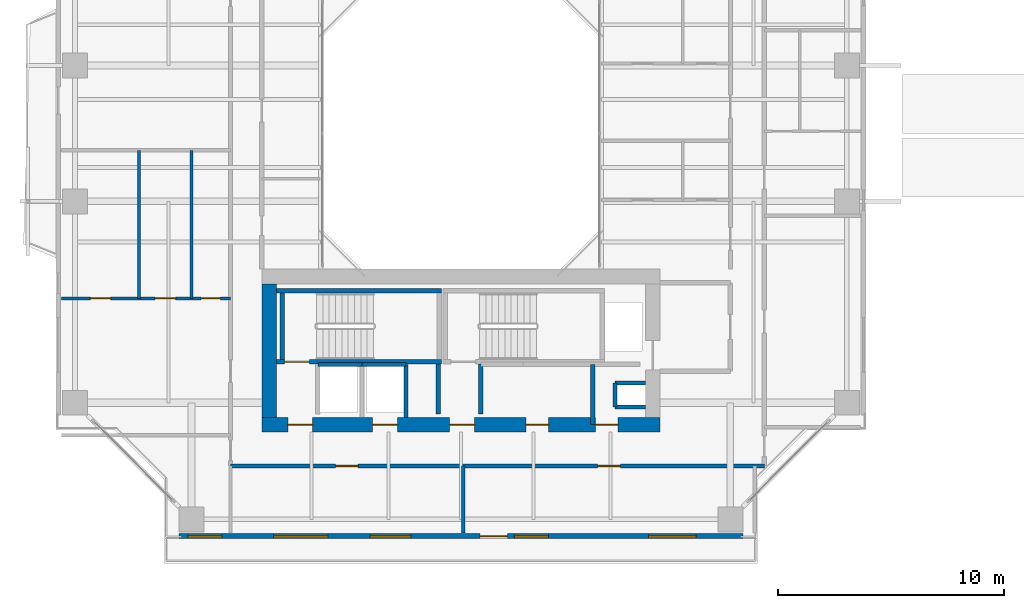
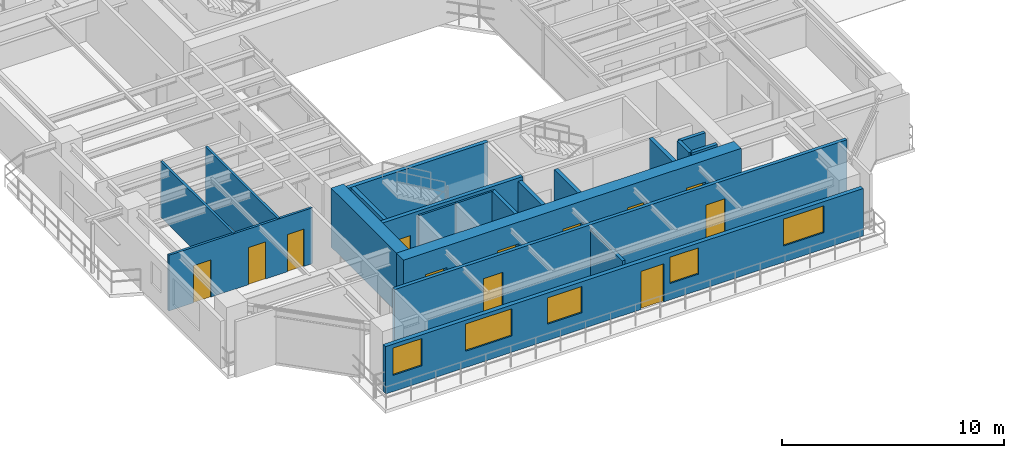
# One storey, part 13 of 23: 20 walls, 12 doors, 5 windows, 17 openings.
"""IFC4 building model written with IfcOpenShell, lengths in metres."""

from ifc_helpers import new_model, si_unit, direction, frame, frame_2d, origin, place, context, subcontext, project, spatial, rectangle, extrude, source, transform, mapped, material, layer, layer_set, type_object, element, fill, save


model = new_model("IFC4")

# Units and contexts
model_context = context("Model", 3, precision=1e-05, world=origin(), true_north=direction((0.0, 1.0)))
body_context = subcontext(model_context, "Body", "Model", "MODEL_VIEW")
ifc_project = project(units=[si_unit("LENGTHUNIT", "METRE"), si_unit("AREAUNIT", "SQUARE_METRE"), si_unit("VOLUMEUNIT", "CUBIC_METRE"), si_unit("PLANEANGLEUNIT", "RADIAN"), si_unit("MASSUNIT", "GRAM", prefix="KILO"), si_unit("THERMODYNAMICTEMPERATUREUNIT", "KELVIN"), si_unit("POWERUNIT", "WATT")], contexts=[model_context])

# Site, building, storey
site_placement = place(None, origin())
site = spatial("IfcSite", under=ifc_project, at=site_placement, CompositionType="ELEMENT")
building_placement = place(site_placement, origin())
building = spatial("IfcBuilding", under=site, at=building_placement, Name="Qiaomeng Ring Towers", CompositionType="ELEMENT")
storey_placement = place(building_placement, frame((0.0, 0.0, 97.0)))
storey = spatial("IfcBuildingStorey", under=building, at=storey_placement, Name="L27", CompositionType="ELEMENT", Elevation=97.0)

# Wall, openings, windows, door
ifc_material_1 = material(Name="Precast concrete C40", Category="concrete")
ifc_layer_1 = layer(ifc_material_1, 0.219970703125, Name="Precast concrete C40")
ifc_layer_set_1 = layer_set([ifc_layer_1], Name="Precast concrete C40")
wall_type_1 = type_object("IfcWallType", Name="ARC-WL-EW2", PredefinedType="STANDARD", material=ifc_layer_set_1)
wall_1_placement = place(storey_placement, frame((6.550048828125, 5.2099609375, 0.0), z_axis=(0.0, 0.0, 1.0), x_axis=(1.0, 0.0, 0.0)))
wall_1 = element("IfcWall", 1, at=wall_1_placement, inside=storey, type_object=wall_type_1, Name="L27 Tower 1 S Exterior Wall", PredefinedType="STANDARD", context=body_context, shape_type="SweptSolid", body=[
    extrude(rectangle(XDim=24.89990234375, YDim=0.219970703125, at=frame_2d((12.449951171875, 0.0))), origin(), (0.0, 0.0, 1.0), 2.610107421875),
])
opening_1_placement = place(wall_1_placement, frame((13.300048828125, 0.0, 0.0)))
opening_1 = element("IfcOpeningElement", 2, at=opening_1_placement, cuts=wall_1, Name="Opening BD1", PredefinedType="OPENING", context=body_context, shape_type="SweptSolid", body=[
    extrude(rectangle(XDim=1.199951171875, YDim=2.10009765625, at=frame_2d((0.60009765625, 1.050048828125))), frame((0.0, 0.119873046875, 0.0), z_axis=(0.0, -1.0, 0.0), x_axis=(1.0, 0.0, 0.0)), (0.0, 0.0, 1.0), 0.239990234375),
])
opening_2_placement = place(wall_1_placement, frame((0.392578125, 0.0, 0.89990234375)))
opening_2 = element("IfcOpeningElement", 3, at=opening_2_placement, cuts=wall_1, Name="Opening WN2", PredefinedType="OPENING", context=body_context, shape_type="SweptSolid", body=[
    extrude(rectangle(XDim=1.5, YDim=1.5, at=frame_2d((0.75, 0.75))), frame((0.0, 0.119873046875, 0.0), z_axis=(0.0, -1.0, 0.0), x_axis=(1.0, 0.0, 0.0)), (0.0, 0.0, 1.0), 0.239990234375),
])
opening_3_placement = place(wall_1_placement, frame((8.43798828125, 0.0, 0.89990234375)))
opening_3 = element("IfcOpeningElement", 4, at=opening_3_placement, cuts=wall_1, Name="Opening WN1", PredefinedType="OPENING", context=body_context, shape_type="SweptSolid", body=[
    extrude(rectangle(XDim=1.800048828125, YDim=1.449951171875, at=frame_2d((0.89990234375, 0.72509765625))), frame((0.0, 0.119873046875, 0.0), z_axis=(0.0, -1.0, 0.0), x_axis=(1.0, 0.0, 0.0)), (0.0, 0.0, 1.0), 0.239990234375),
])
opening_4_placement = place(wall_1_placement, frame((14.81298828125, 0.0, 0.89990234375)))
opening_4 = element("IfcOpeningElement", 5, at=opening_4_placement, cuts=wall_1, Name="Opening WN2", PredefinedType="OPENING", context=body_context, shape_type="SweptSolid", body=[
    extrude(rectangle(XDim=1.5, YDim=1.449951171875, at=frame_2d((0.75, 0.72509765625))), frame((0.0, 0.119873046875, 0.0), z_axis=(0.0, -1.0, 0.0), x_axis=(1.0, 0.0, 0.0)), (0.0, 0.0, 1.0), 0.239990234375),
])
opening_5_placement = place(wall_1_placement, frame((20.738037109375, 0.0, 0.89990234375)))
opening_5 = element("IfcOpeningElement", 6, at=opening_5_placement, cuts=wall_1, Name="Opening WN4", PredefinedType="OPENING", context=body_context, shape_type="SweptSolid", body=[
    extrude(rectangle(XDim=2.10009765625, YDim=1.47998046875, at=frame_2d((1.050048828125, 0.739990234375))), frame((0.0, 0.119873046875, 0.0), z_axis=(0.0, -1.0, 0.0), x_axis=(1.0, 0.0, 0.0)), (0.0, 0.0, 1.0), 0.239990234375),
])
opening_6_placement = place(wall_1_placement, frame((4.17138671875, 0.0, 0.89990234375)))
opening_6 = element("IfcOpeningElement", 7, at=opening_6_placement, cuts=wall_1, Name="Opening WN6", PredefinedType="OPENING", context=body_context, shape_type="SweptSolid", body=[
    extrude(rectangle(XDim=2.39990234375, YDim=1.5, at=frame_2d((1.199951171875, 0.75))), frame((0.0, 0.119873046875, 0.0), z_axis=(0.0, -1.0, 0.0), x_axis=(1.0, 0.0, 0.0)), (0.0, 0.0, 1.0), 0.239990234375),
])
ifc_material_2 = material(Name="Low-E dark-grey laminated double glazing", Category="glass")
window_type_1 = type_object("IfcWindowType", Name="ARC-WN-2", PartitioningType="DOUBLE_PANEL_VERTICAL", PredefinedType="WINDOW", material=ifc_material_2)
shared_shape_1 = source(origin(), body_context, "Body", "SweptSolid", [
    extrude(rectangle(XDim=1.5, YDim=1.449951171875, at=frame_2d((0.75, 0.72509765625))), frame((0.0, 0.030029296875, 0.0), z_axis=(0.0, -1.0, 0.0), x_axis=(1.0, 0.0, 0.0)), (0.0, 0.0, 1.0), 0.06005859375),
])
window_1_placement = place(opening_4_placement, origin())
window_1 = element("IfcWindow", 8, at=window_1_placement, inside=storey, type_object=window_type_1, Name="L27 Exterior Window WN2", OverallHeight=1.449951171875, OverallWidth=1.5, PartitioningType="DOUBLE_PANEL_VERTICAL", PredefinedType="WINDOW", context=body_context, shape_type="MappedRepresentation", body=[
    mapped(shared_shape_1, transform((0.0, 0.0, 0.0), x_axis=(1.0, 0.0, 0.0), y_axis=(0.0, 1.0, 0.0), z_axis=(0.0, 0.0, 1.0), scale=1.0)),
])
fill(opening_4, window_1)
window_type_2 = type_object("IfcWindowType", Name="ARC-WN-4", PartitioningType="TRIPLE_PANEL_VERTICAL", PredefinedType="WINDOW", material=ifc_material_2)
shared_shape_2 = source(origin(), body_context, "Body", "SweptSolid", [
    extrude(rectangle(XDim=2.10009765625, YDim=1.47998046875, at=frame_2d((1.050048828125, 0.739990234375))), frame((0.0, 0.030029296875, 0.0), z_axis=(0.0, -1.0, 0.0), x_axis=(1.0, 0.0, 0.0)), (0.0, 0.0, 1.0), 0.06005859375),
])
window_2_placement = place(opening_5_placement, origin())
window_2 = element("IfcWindow", 9, at=window_2_placement, inside=storey, type_object=window_type_2, Name="L27 Exterior Window WN4", OverallHeight=1.47998046875, OverallWidth=2.10009765625, PartitioningType="TRIPLE_PANEL_VERTICAL", PredefinedType="WINDOW", context=body_context, shape_type="MappedRepresentation", body=[
    mapped(shared_shape_2, transform((0.0, 0.0, 0.0), x_axis=(1.0, 0.0, 0.0), y_axis=(0.0, 1.0, 0.0), z_axis=(0.0, 0.0, 1.0), scale=1.0)),
])
fill(opening_5, window_2)
window_type_3 = type_object("IfcWindowType", Name="ARC-WN-1", PartitioningType="DOUBLE_PANEL_VERTICAL", PredefinedType="WINDOW", material=ifc_material_2)
shared_shape_3 = source(origin(), body_context, "Body", "SweptSolid", [
    extrude(rectangle(XDim=1.800048828125, YDim=1.449951171875, at=frame_2d((0.89990234375, 0.72509765625))), frame((0.0, 0.030029296875, 0.0), z_axis=(0.0, -1.0, 0.0), x_axis=(1.0, 0.0, 0.0)), (0.0, 0.0, 1.0), 0.06005859375),
])
window_3_placement = place(opening_3_placement, origin())
window_3 = element("IfcWindow", 10, at=window_3_placement, inside=storey, type_object=window_type_3, Name="L27 Exterior Window WN1", OverallHeight=1.449951171875, OverallWidth=1.800048828125, PartitioningType="DOUBLE_PANEL_VERTICAL", PredefinedType="WINDOW", context=body_context, shape_type="MappedRepresentation", body=[
    mapped(shared_shape_3, transform((0.0, 0.0, 0.0), x_axis=(1.0, 0.0, 0.0), y_axis=(0.0, 1.0, 0.0), z_axis=(0.0, 0.0, 1.0), scale=1.0)),
])
fill(opening_3, window_3)
door_type_1 = type_object("IfcDoorType", Name="ARC-DR-BD1", OperationType="NOTDEFINED", PredefinedType="DOOR", material=ifc_material_2)
shared_shape_4 = source(origin(), body_context, "Body", "SweptSolid", [
    extrude(rectangle(XDim=1.199951171875, YDim=2.10009765625, at=frame_2d((0.60009765625, 1.050048828125))), frame((0.0, 0.02490234375, 0.0), z_axis=(0.0, -1.0, 0.0), x_axis=(1.0, 0.0, 0.0)), (0.0, 0.0, 1.0), 0.050048828125),
])
door_1_placement = place(opening_1_placement, frame((1.199951171875, 0.0, 0.0), z_axis=(0.0, 0.0, 1.0), x_axis=(-1.0, 0.0, 0.0)))
door_1 = element("IfcDoor", 11, at=door_1_placement, inside=storey, type_object=door_type_1, Name="L27 Setback Sky Terrace Door", OperationType="SINGLE_SWING_RIGHT", OverallHeight=2.10009765625, OverallWidth=1.199951171875, PredefinedType="DOOR", context=body_context, shape_type="MappedRepresentation", body=[
    mapped(shared_shape_4, transform((0.0, 0.0, 0.0), x_axis=(1.0, 0.0, 0.0), y_axis=(0.0, 1.0, 0.0), z_axis=(0.0, 0.0, 1.0), scale=1.0)),
])
fill(opening_1, door_1)
shared_shape_5 = source(origin(), body_context, "Body", "SweptSolid", [
    extrude(rectangle(XDim=1.5, YDim=1.5, at=frame_2d((0.75, 0.75))), frame((0.0, 0.030029296875, 0.0), z_axis=(0.0, -1.0, 0.0), x_axis=(1.0, 0.0, 0.0)), (0.0, 0.0, 1.0), 0.06005859375),
])
window_4_placement = place(opening_2_placement, origin())
window_4 = element("IfcWindow", 12, at=window_4_placement, inside=storey, type_object=window_type_1, Name="L27 Exterior Window WN6", OverallHeight=1.5, OverallWidth=1.5, PartitioningType="TRIPLE_PANEL_VERTICAL", PredefinedType="WINDOW", context=body_context, shape_type="MappedRepresentation", body=[
    mapped(shared_shape_5, transform((0.0, 0.0, 0.0), x_axis=(1.0, 0.0, 0.0), y_axis=(0.0, 1.0, 0.0), z_axis=(0.0, 0.0, 1.0), scale=1.0)),
])
fill(opening_2, window_4)
window_type_4 = type_object("IfcWindowType", Name="ARC-WN-6", PartitioningType="TRIPLE_PANEL_VERTICAL", PredefinedType="WINDOW", material=ifc_material_2)
shared_shape_6 = source(origin(), body_context, "Body", "SweptSolid", [
    extrude(rectangle(XDim=2.39990234375, YDim=1.5, at=frame_2d((1.199951171875, 0.75))), frame((0.0, 0.030029296875, 0.0), z_axis=(0.0, -1.0, 0.0), x_axis=(1.0, 0.0, 0.0)), (0.0, 0.0, 1.0), 0.06005859375),
])
window_5_placement = place(opening_6_placement, origin())
window_5 = element("IfcWindow", 13, at=window_5_placement, inside=storey, type_object=window_type_4, Name="L27 Exterior Window WN6", OverallHeight=1.5, OverallWidth=2.39990234375, PartitioningType="TRIPLE_PANEL_VERTICAL", PredefinedType="WINDOW", context=body_context, shape_type="MappedRepresentation", body=[
    mapped(shared_shape_6, transform((0.0, 0.0, 0.0), x_axis=(1.0, 0.0, 0.0), y_axis=(0.0, 1.0, 0.0), z_axis=(0.0, 0.0, 1.0), scale=1.0)),
])
fill(opening_6, window_5)

# Walls
ifc_material_3 = material(Name="Autoclaved aerated concrete block", Category="concrete")
ifc_layer_2 = layer(ifc_material_3, 0.199951171875, Name="Autoclaved aerated concrete block")
ifc_layer_set_2 = layer_set([ifc_layer_2], Name="Autoclaved aerated concrete block")
wall_type_2 = type_object("IfcWallType", Name="ARC-WL-PW1", PredefinedType="PARTITIONING", material=ifc_layer_set_2)
for number, where, z_axis, x_axis, name in (
    (14, (18.0, 10.60009765625, 0.0), (0.0, 0.0, 1.0), (0.0, 1.0, 0.0), "L27 Interior Wall PW1"),
    (15, (19.8798828125, 10.60009765625, 0.0), (0.0, 0.0, 1.0), (0.0, 1.0, 0.0), "L27 Interior Wall PW1"),
):
    element("IfcWall", number, at=place(storey_placement, frame(where, z_axis=z_axis, x_axis=x_axis)), inside=storey, type_object=wall_type_2, Name=name, PredefinedType="PARTITIONING", context=body_context, shape_type="SweptSolid", body=[
        extrude(rectangle(XDim=2.2099609375, YDim=0.199951171875, at=frame_2d((1.10498046875, 0.0))), origin(), (0.0, 0.0, 1.0), 3.070068359375),
    ])
wall_2_placement = place(storey_placement, frame((24.820068359375, 10.14990234375, 0.0), z_axis=(0.0, 0.0, 1.0), x_axis=(0.0, 1.0, 0.0)))
element("IfcWall", 16, at=wall_2_placement, inside=storey, type_object=wall_type_2, Name="L27 Interior Wall PW1", PredefinedType="PARTITIONING", context=body_context, shape_type="SweptSolid", body=[
    extrude(rectangle(XDim=2.650146484375, YDim=0.199951171875, at=frame_2d((1.3251953125, 0.0))), origin(), (0.0, 0.0, 1.0), 3.070068359375),
])

# Wall, openings, doors
ifc_layer_3 = layer(ifc_material_3, 0.179931640625, Name="Autoclaved aerated concrete block")
ifc_layer_set_3 = layer_set([ifc_layer_3], Name="Autoclaved aerated concrete block")
wall_type_3 = type_object("IfcWallType", Name="ARC-WL-PW2", PredefinedType="PARTITIONING", material=ifc_layer_set_3)
wall_3_placement = place(storey_placement, frame((8.820068359375, 8.31005859375, 0.0), z_axis=(0.0, 0.0, 1.0), x_axis=(1.0, 0.0, 0.0)))
wall_3 = element("IfcWall", 17, at=wall_3_placement, inside=storey, type_object=wall_type_3, Name="L27 Interior Wall PW2", PredefinedType="PARTITIONING", context=body_context, shape_type="SweptSolid", body=[
    extrude(rectangle(XDim=23.579833984375, YDim=0.179931640625, at=frame_2d((11.7900390625, 0.0))), origin(), (0.0, 0.0, 1.0), 3.070068359375),
])
opening_7_placement = place(wall_3_placement, frame((4.639892578125, 0.0, 0.0)))
opening_7 = element("IfcOpeningElement", 18, at=opening_7_placement, cuts=wall_3, Name="Opening FD4", PredefinedType="OPENING", context=body_context, shape_type="SweptSolid", body=[
    extrude(rectangle(XDim=1.0, YDim=2.050048828125, at=frame_2d((0.5, 1.02490234375))), frame((0.0, 0.099853515625, 0.0), z_axis=(0.0, -1.0, 0.0), x_axis=(1.0, 0.0, 0.0)), (0.0, 0.0, 1.0), 0.199951171875),
])
opening_8_placement = place(wall_3_placement, frame((16.219970703125, 0.0, 0.0)))
opening_8 = element("IfcOpeningElement", 19, at=opening_8_placement, cuts=wall_3, Name="Opening FD4", PredefinedType="OPENING", context=body_context, shape_type="SweptSolid", body=[
    extrude(rectangle(XDim=1.0, YDim=2.050048828125, at=frame_2d((0.5, 1.02490234375))), frame((0.0, 0.099853515625, 0.0), z_axis=(0.0, -1.0, 0.0), x_axis=(1.0, 0.0, 0.0)), (0.0, 0.0, 1.0), 0.199951171875),
])
ifc_material_4 = material(Name="Engineered fire-rated oak timber", Category="wood")
door_type_2 = type_object("IfcDoorType", Name="ARC-DR-FD4", OperationType="NOTDEFINED", PredefinedType="DOOR", material=ifc_material_4)
shared_shape_7 = source(origin(), body_context, "Body", "SweptSolid", [
    extrude(rectangle(XDim=1.0, YDim=2.050048828125, at=frame_2d((0.5, 1.02490234375))), frame((0.0, 0.02490234375, 0.0), z_axis=(0.0, -1.0, 0.0), x_axis=(1.0, 0.0, 0.0)), (0.0, 0.0, 1.0), 0.050048828125),
])
door_2_placement = place(opening_7_placement, origin())
door_2 = element("IfcDoor", 20, at=door_2_placement, inside=storey, type_object=door_type_2, Name="L27 Door FD4", OperationType="SINGLE_SWING_LEFT", OverallHeight=2.050048828125, OverallWidth=1.0, PredefinedType="DOOR", context=body_context, shape_type="MappedRepresentation", body=[
    mapped(shared_shape_7, transform((0.0, 0.0, 0.0), x_axis=(1.0, 0.0, 0.0), y_axis=(0.0, 1.0, 0.0), z_axis=(0.0, 0.0, 1.0), scale=1.0)),
])
fill(opening_7, door_2)
door_3_placement = place(opening_8_placement, origin())
door_3 = element("IfcDoor", 21, at=door_3_placement, inside=storey, type_object=door_type_2, Name="L27 Door FD4", OperationType="SINGLE_SWING_RIGHT", OverallHeight=2.050048828125, OverallWidth=1.0, PredefinedType="DOOR", context=body_context, shape_type="MappedRepresentation", body=[
    mapped(shared_shape_7, transform((0.0, 0.0, 0.0), x_axis=(1.0, 0.0, 0.0), y_axis=(0.0, 1.0, 0.0), z_axis=(0.0, 0.0, 1.0), scale=1.0)),
])
fill(opening_8, door_3)

# Wall
ifc_material_5 = material(Name="Gypsum fireboard steel-stud partition", Category="steel")
ifc_layer_4 = layer(ifc_material_5, 0.14990234375, Name="Gypsum fireboard steel-stud partition")
ifc_layer_set_4 = layer_set([ifc_layer_4], Name="Gypsum fireboard steel-stud partition")
wall_type_4 = type_object("IfcWallType", Name="ARC-WL-PW3", PredefinedType="PARTITIONING", material=ifc_layer_set_4)
wall_4_placement = place(storey_placement, frame((19.10009765625, 5.35009765625, 0.0), z_axis=(0.0, 0.0, 1.0), x_axis=(0.0, 1.0, 0.0)))
element("IfcWall", 22, at=wall_4_placement, inside=storey, type_object=wall_type_4, Name="L27 Interior Wall PW3", PredefinedType="PARTITIONING", context=body_context, shape_type="SweptSolid", body=[
    extrude(rectangle(XDim=2.9599609375, YDim=0.14990234375, at=frame_2d((1.47998046875, 0.0))), origin(), (0.0, 0.0, 1.0), 2.81494140625),
])

# Wall, openings, doors
ifc_material_6 = material(Name="Moisture-resistant gypsum steel-stud partition", Category="steel")
ifc_layer_5 = layer(ifc_material_6, 0.1201171875, Name="Moisture-resistant gypsum steel-stud partition")
ifc_layer_set_5 = layer_set([ifc_layer_5], Name="Moisture-resistant gypsum steel-stud partition")
wall_type_5 = type_object("IfcWallType", Name="ARC-WL-PW4", PredefinedType="PLUMBINGWALL", material=ifc_layer_set_5)
wall_5_placement = place(storey_placement, frame((1.35009765625, 15.7099609375, 0.0), z_axis=(0.0, 0.0, 1.0), x_axis=(1.0, 0.0, 0.0)))
wall_5 = element("IfcWall", 23, at=wall_5_placement, inside=storey, type_object=wall_type_5, Name="L27 Interior Wall PW4", PredefinedType="PLUMBINGWALL", context=body_context, shape_type="SweptSolid", body=[
    extrude(rectangle(XDim=7.469970703125, YDim=0.1201171875, at=frame_2d((3.73486328125, 0.0))), origin(), (0.0, 0.0, 1.0), 3.070068359375),
])
opening_9_placement = place(wall_5_placement, frame((1.27490234375, 0.0, 0.0)))
opening_9 = element("IfcOpeningElement", 24, at=opening_9_placement, cuts=wall_5, Name="Opening ID1", PredefinedType="OPENING", context=body_context, shape_type="SweptSolid", body=[
    extrude(rectangle(XDim=0.89990234375, YDim=2.050048828125, at=frame_2d((0.449951171875, 1.02490234375))), frame((0.0, 0.070068359375, 0.0), z_axis=(0.0, -1.0, 0.0), x_axis=(1.0, 0.0, 0.0)), (0.0, 0.0, 1.0), 0.14013671875),
])
opening_10_placement = place(wall_5_placement, frame((4.139892578125, 0.0, 0.0)))
opening_10 = element("IfcOpeningElement", 25, at=opening_10_placement, cuts=wall_5, Name="Opening ID1", PredefinedType="OPENING", context=body_context, shape_type="SweptSolid", body=[
    extrude(rectangle(XDim=0.89990234375, YDim=2.050048828125, at=frame_2d((0.449951171875, 1.02490234375))), frame((0.0, 0.070068359375, 0.0), z_axis=(0.0, -1.0, 0.0), x_axis=(1.0, 0.0, 0.0)), (0.0, 0.0, 1.0), 0.14013671875),
])
opening_11_placement = place(wall_5_placement, frame((6.175048828125, 0.0, 0.0)))
opening_11 = element("IfcOpeningElement", 26, at=opening_11_placement, cuts=wall_5, Name="Opening ID2", PredefinedType="OPENING", context=body_context, shape_type="SweptSolid", body=[
    extrude(rectangle(XDim=0.85009765625, YDim=2.050048828125, at=frame_2d((0.425048828125, 1.02490234375))), frame((0.0, 0.070068359375, 0.0), z_axis=(0.0, -1.0, 0.0), x_axis=(1.0, 0.0, 0.0)), (0.0, 0.0, 1.0), 0.14013671875),
])
ifc_material_7 = material(Name="Moisture-resistant engineered timber", Category="wood")
door_type_3 = type_object("IfcDoorType", Name="ARC-DR-ID2", OperationType="NOTDEFINED", PredefinedType="DOOR", material=ifc_material_7)
shared_shape_8 = source(origin(), body_context, "Body", "SweptSolid", [
    extrude(rectangle(XDim=0.85009765625, YDim=2.050048828125, at=frame_2d((0.425048828125, 1.02490234375))), frame((0.0, 0.02490234375, 0.0), z_axis=(0.0, -1.0, 0.0), x_axis=(1.0, 0.0, 0.0)), (0.0, 0.0, 1.0), 0.050048828125),
])
door_4_placement = place(opening_11_placement, origin())
door_4 = element("IfcDoor", 27, at=door_4_placement, inside=storey, type_object=door_type_3, Name="L27 Door ID2", OperationType="SINGLE_SWING_LEFT", OverallHeight=2.050048828125, OverallWidth=0.85009765625, PredefinedType="DOOR", context=body_context, shape_type="MappedRepresentation", body=[
    mapped(shared_shape_8, transform((0.0, 0.0, 0.0), x_axis=(1.0, 0.0, 0.0), y_axis=(0.0, 1.0, 0.0), z_axis=(0.0, 0.0, 1.0), scale=1.0)),
])
fill(opening_11, door_4)
ifc_material_8 = material(Name="Engineered oak timber", Category="wood")
door_type_4 = type_object("IfcDoorType", Name="ARC-DR-ID1", OperationType="NOTDEFINED", PredefinedType="DOOR", material=ifc_material_8)
shared_shape_9 = source(origin(), body_context, "Body", "SweptSolid", [
    extrude(rectangle(XDim=0.89990234375, YDim=2.050048828125, at=frame_2d((0.449951171875, 1.02490234375))), frame((0.0, 0.02490234375, 0.0), z_axis=(0.0, -1.0, 0.0), x_axis=(1.0, 0.0, 0.0)), (0.0, 0.0, 1.0), 0.050048828125),
])
door_5_placement = place(opening_9_placement, origin())
door_5 = element("IfcDoor", 28, at=door_5_placement, inside=storey, type_object=door_type_4, Name="L27 Door ID1", OperationType="SINGLE_SWING_LEFT", OverallHeight=2.050048828125, OverallWidth=0.89990234375, PredefinedType="DOOR", context=body_context, shape_type="MappedRepresentation", body=[
    mapped(shared_shape_9, transform((0.0, 0.0, 0.0), x_axis=(1.0, 0.0, 0.0), y_axis=(0.0, 1.0, 0.0), z_axis=(0.0, 0.0, 1.0), scale=1.0)),
])
fill(opening_9, door_5)
door_6_placement = place(opening_10_placement, origin())
door_6 = element("IfcDoor", 29, at=door_6_placement, inside=storey, type_object=door_type_4, Name="L27 Door ID1", OperationType="SINGLE_SWING_RIGHT", OverallHeight=2.050048828125, OverallWidth=0.89990234375, PredefinedType="DOOR", context=body_context, shape_type="MappedRepresentation", body=[
    mapped(shared_shape_9, transform((0.0, 0.0, 0.0), x_axis=(1.0, 0.0, 0.0), y_axis=(0.0, 1.0, 0.0), z_axis=(0.0, 0.0, 1.0), scale=1.0)),
])
fill(opening_10, door_6)

# Walls
for number, where, z_axis, x_axis, name in (
    (30, (4.780029296875, 15.7099609375, 0.0), (0.0, 0.0, 1.0), (0.0, 1.0, 0.0), "L27 Interior Wall PW4"),
    (31, (7.10009765625, 15.7099609375, 0.0), (0.0, 0.0, 1.0), (0.0, 1.0, 0.0), "L27 Interior Wall PW4"),
):
    element("IfcWall", number, at=place(storey_placement, frame(where, z_axis=z_axis, x_axis=x_axis)), inside=storey, type_object=wall_type_5, Name=name, PredefinedType="PLUMBINGWALL", context=body_context, shape_type="SweptSolid", body=[
        extrude(rectangle(XDim=6.5400390625, YDim=0.1201171875, at=frame_2d((3.27001953125, 0.0))), origin(), (0.0, 0.0, 1.0), 3.070068359375),
    ])
ifc_material_9 = material(Name="Concrete C40", Category="concrete")
ifc_layer_6 = layer(ifc_material_9, 0.199951171875, Name="Concrete C40")
ifc_layer_set_6 = layer_set([ifc_layer_6], Name="Concrete C40")
wall_type_6 = type_object("IfcWallType", Name="STR-WL-STSHAFT", PredefinedType="SHEAR", material=ifc_layer_set_6)
wall_6_placement = place(storey_placement, frame((12.679931640625, 12.800048828125, 0.0), z_axis=(0.0, 0.0, 1.0), x_axis=(1.0, 0.0, 0.0)))
element("IfcWall", 32, at=wall_6_placement, inside=storey, type_object=wall_type_6, Name="L27 Lift LP6 Shaft Back Wall", PredefinedType="SHEAR", context=body_context, shape_type="SweptSolid", body=[
    extrude(rectangle(XDim=1.940185546875, YDim=0.179931640625, at=frame_2d((0.97021484375, 0.0))), origin(), (0.0, 0.0, 1.0), 3.070068359375),
])
wall_7_placement = place(storey_placement, frame((25.800048828125, 10.919921875, 0.0), z_axis=(0.0, 0.0, 1.0), x_axis=(0.0, 1.0, 0.0)))
element("IfcWall", 33, at=wall_7_placement, inside=storey, type_object=wall_type_6, Name="L27 Riser RSR1 West Shaft Wall S", PredefinedType="SHEAR", context=body_context, shape_type="SweptSolid", body=[
    extrude(rectangle(XDim=1.06005859375, YDim=0.179931640625, at=frame_2d((0.530029296875, 0.0))), origin(), (0.0, 0.0, 1.0), 3.070068359375),
])
for number, where, z_axis, x_axis, name in (
    (34, (25.800048828125, 11.97998046875, 0.0), (0.0, 0.0, 1.0), (1.0, 0.0, 0.0), "L27 Riser RSR1 North Shaft Wall S"),
    (35, (25.800048828125, 10.919921875, 0.0), (0.0, 0.0, 1.0), (1.0, 0.0, 0.0), "L27 Riser RSR1 South Shaft Wall S"),
):
    element("IfcWall", number, at=place(storey_placement, frame(where, z_axis=z_axis, x_axis=x_axis)), inside=storey, type_object=wall_type_6, Name=name, PredefinedType="SHEAR", context=body_context, shape_type="SweptSolid", body=[
        extrude(rectangle(XDim=1.349853515625, YDim=0.179931640625, at=frame_2d((0.6748046875, 0.0))), origin(), (0.0, 0.0, 1.0), 3.070068359375),
    ])
wall_8_placement = place(storey_placement, frame((14.6201171875, 12.800048828125, 0.0), z_axis=(0.0, 0.0, 1.0), x_axis=(1.0, 0.0, 0.0)))
element("IfcWall", 36, at=wall_8_placement, inside=storey, type_object=wall_type_6, Name="L27 Lift LP4 Shaft Back Wall", PredefinedType="SHEAR", context=body_context, shape_type="SweptSolid", body=[
    extrude(rectangle(XDim=1.9599609375, YDim=0.179931640625, at=frame_2d((0.97998046875, 0.0))), origin(), (0.0, 0.0, 1.0), 3.070068359375),
])
wall_9_placement = place(storey_placement, frame((16.580078125, 10.449951171875, 0.0), z_axis=(0.0, 0.0, 1.0), x_axis=(0.0, 1.0, 0.0)))
element("IfcWall", 37, at=wall_9_placement, inside=storey, type_object=wall_type_6, Name="L27 Lift LP4 East Shaft Wall", PredefinedType="SHEAR", context=body_context, shape_type="SweptSolid", body=[
    extrude(rectangle(XDim=2.35009765625, YDim=0.179931640625, at=frame_2d((1.175048828125, 0.0))), origin(), (0.0, 0.0, 1.0), 3.070068359375),
])

# Wall, opening, door
wall_10_placement = place(storey_placement, frame((10.85009765625, 12.909912109375, 0.0), z_axis=(0.0, 0.0, 1.0), x_axis=(1.0, 0.0, 0.0)))
wall_10 = element("IfcWall", 38, at=wall_10_placement, inside=storey, type_object=wall_type_6, Name="L27 Stair ST3 South Shaft Shear Wall", PredefinedType="SHEAR", context=body_context, shape_type="SweptSolid", body=[
    extrude(rectangle(XDim=7.2998046875, YDim=0.199951171875, at=frame_2d((3.64990234375, 0.0))), origin(), (0.0, 0.0, 1.0), 3.25),
])
opening_12_placement = place(wall_10_placement, frame((0.35009765625, 0.0, 0.0)))
opening_12 = element("IfcOpeningElement", 39, at=opening_12_placement, cuts=wall_10, Name="Opening FD3", PredefinedType="OPENING", context=body_context, shape_type="SweptSolid", body=[
    extrude(rectangle(XDim=1.10009765625, YDim=2.050048828125, at=frame_2d((0.550048828125, 1.02490234375))), frame((0.0, 0.10986328125, 0.0), z_axis=(0.0, -1.0, 0.0), x_axis=(1.0, 0.0, 0.0)), (0.0, 0.0, 1.0), 0.219970703125),
])
ifc_material_10 = material(Name="Galvanised steel", Category="steel")
door_type_5 = type_object("IfcDoorType", Name="ARC-DR-FD3", OperationType="NOTDEFINED", PredefinedType="DOOR", material=ifc_material_10)
shared_shape_10 = source(origin(), body_context, "Body", "SweptSolid", [
    extrude(rectangle(XDim=1.10009765625, YDim=2.050048828125, at=frame_2d((0.550048828125, 1.02490234375))), frame((0.0, 0.02490234375, 0.0), z_axis=(0.0, -1.0, 0.0), x_axis=(1.0, 0.0, 0.0)), (0.0, 0.0, 1.0), 0.050048828125),
])
door_7_placement = place(opening_12_placement, frame((1.10009765625, 0.0, 0.0), z_axis=(0.0, 0.0, 1.0), x_axis=(-1.0, 0.0, 0.0)))
door_7 = element("IfcDoor", 40, at=door_7_placement, inside=storey, type_object=door_type_5, Name="L27 Stair ST3 Exit Door", OperationType="SINGLE_SWING_LEFT", OverallHeight=2.050048828125, OverallWidth=1.10009765625, PredefinedType="DOOR", context=body_context, shape_type="MappedRepresentation", body=[
    mapped(shared_shape_10, transform((0.0, 0.0, 0.0), x_axis=(1.0, 0.0, 0.0), y_axis=(0.0, 1.0, 0.0), z_axis=(0.0, 0.0, 1.0), scale=1.0)),
])
fill(opening_12, door_7)

# Walls
wall_11_placement = place(storey_placement, frame((10.85009765625, 16.050048828125, 0.0), z_axis=(0.0, 0.0, 1.0), x_axis=(1.0, 0.0, 0.0)))
element("IfcWall", 41, at=wall_11_placement, inside=storey, type_object=wall_type_6, Name="L27 Stair ST3 North Shaft Shear Wall", PredefinedType="SHEAR", context=body_context, shape_type="SweptSolid", body=[
    extrude(rectangle(XDim=7.2998046875, YDim=0.199951171875, at=frame_2d((3.64990234375, 0.0))), origin(), (0.0, 0.0, 1.0), 3.25),
])
wall_12_placement = place(storey_placement, frame((11.10009765625, 13.010009765625, 0.0), z_axis=(0.0, 0.0, 1.0), x_axis=(0.0, 1.0, 0.0)))
element("IfcWall", 42, at=wall_12_placement, inside=storey, type_object=wall_type_6, Name="L27 Stair ST3 West Shaft Shear Wall", PredefinedType="SHEAR", context=body_context, shape_type="SweptSolid", body=[
    extrude(rectangle(XDim=2.93994140625, YDim=0.199951171875, at=frame_2d((1.469970703125, 0.0))), origin(), (0.0, 0.0, 1.0), 3.25),
])

# Wall, openings, doors
ifc_material_11 = material(Name="Concrete C55", Category="concrete")
ifc_layer_7 = layer(ifc_material_11, 0.64990234375, Name="Concrete C55")
ifc_layer_set_7 = layer_set([ifc_layer_7], Name="Concrete C55")
wall_type_7 = type_object("IfcWallType", Name="STR-WL-SW2A", PredefinedType="SHEAR", material=ifc_layer_set_7)
wall_13_placement = place(storey_placement, frame((10.199951171875, 10.125, 0.0), z_axis=(0.0, 0.0, 1.0), x_axis=(1.0, 0.0, 0.0)))
wall_13 = element("IfcWall", 43, at=wall_13_placement, inside=storey, type_object=wall_type_7, Name="L27 T1SC south core shear wall", PredefinedType="SHEAR", context=body_context, shape_type="SweptSolid", body=[
    extrude(rectangle(XDim=17.60009765625, YDim=0.64990234375, at=frame_2d((8.800048828125, 0.0))), origin(), (0.0, 0.0, 1.0), 3.25),
])
opening_13_placement = place(wall_13_placement, frame((1.14990234375, 0.0, 0.0)))
opening_13 = element("IfcOpeningElement", 44, at=opening_13_placement, cuts=wall_13, Name="Opening FD3", PredefinedType="OPENING", context=body_context, shape_type="SweptSolid", body=[
    extrude(rectangle(XDim=1.10009765625, YDim=2.050048828125, at=frame_2d((0.550048828125, 1.02490234375))), frame((0.0, 0.3349609375, 0.0), z_axis=(0.0, -1.0, 0.0), x_axis=(1.0, 0.0, 0.0)), (0.0, 0.0, 1.0), 0.669921875),
])
opening_14_placement = place(wall_13_placement, frame((8.300048828125, 0.0, 0.0)))
opening_14 = element("IfcOpeningElement", 45, at=opening_14_placement, cuts=wall_13, Name="Opening FD3", PredefinedType="OPENING", context=body_context, shape_type="SweptSolid", body=[
    extrude(rectangle(XDim=1.10009765625, YDim=2.050048828125, at=frame_2d((0.550048828125, 1.02490234375))), frame((0.0, 0.3349609375, 0.0), z_axis=(0.0, -1.0, 0.0), x_axis=(1.0, 0.0, 0.0)), (0.0, 0.0, 1.0), 0.669921875),
])
opening_15_placement = place(wall_13_placement, frame((4.89990234375, 0.0, 0.0)))
opening_15 = element("IfcOpeningElement", 46, at=opening_15_placement, cuts=wall_13, Name="Opening LD1", PredefinedType="OPENING", context=body_context, shape_type="SweptSolid", body=[
    extrude(rectangle(XDim=1.10009765625, YDim=2.050048828125, at=frame_2d((0.550048828125, 1.02490234375))), frame((0.0, 0.3349609375, 0.0), z_axis=(0.0, -1.0, 0.0), x_axis=(1.0, 0.0, 0.0)), (0.0, 0.0, 1.0), 0.669921875),
])
opening_16_placement = place(wall_13_placement, frame((14.739990234375, 0.0, 0.0)))
opening_16 = element("IfcOpeningElement", 47, at=opening_16_placement, cuts=wall_13, Name="Opening FD1", PredefinedType="OPENING", context=body_context, shape_type="SweptSolid", body=[
    extrude(rectangle(XDim=1.0, YDim=2.050048828125, at=frame_2d((0.5, 1.02490234375))), frame((0.0, 0.3349609375, 0.0), z_axis=(0.0, -1.0, 0.0), x_axis=(1.0, 0.0, 0.0)), (0.0, 0.0, 1.0), 0.669921875),
])
opening_17_placement = place(wall_13_placement, frame((11.669921875, 0.0, 0.0)))
opening_17 = element("IfcOpeningElement", 48, at=opening_17_placement, cuts=wall_13, Name="Opening FD1", PredefinedType="OPENING", context=body_context, shape_type="SweptSolid", body=[
    extrude(rectangle(XDim=1.0, YDim=2.050048828125, at=frame_2d((0.5, 1.02490234375))), frame((0.0, 0.3349609375, 0.0), z_axis=(0.0, -1.0, 0.0), x_axis=(1.0, 0.0, 0.0)), (0.0, 0.0, 1.0), 0.669921875),
])
door_8_placement = place(opening_13_placement, origin())
door_8 = element("IfcDoor", 49, at=door_8_placement, inside=storey, type_object=door_type_5, Name="L27 Stair ST3 Lobby Door", OperationType="SINGLE_SWING_RIGHT", OverallHeight=2.050048828125, OverallWidth=1.10009765625, PredefinedType="DOOR", context=body_context, shape_type="MappedRepresentation", body=[
    mapped(shared_shape_10, transform((0.0, 0.0, 0.0), x_axis=(1.0, 0.0, 0.0), y_axis=(0.0, 1.0, 0.0), z_axis=(0.0, 0.0, 1.0), scale=1.0)),
])
fill(opening_13, door_8)
door_9_placement = place(opening_14_placement, origin())
door_9 = element("IfcDoor", 50, at=door_9_placement, inside=storey, type_object=door_type_5, Name="L27 Stair ST4 Lobby Door", OperationType="SINGLE_SWING_RIGHT", OverallHeight=2.050048828125, OverallWidth=1.10009765625, PredefinedType="DOOR", context=body_context, shape_type="MappedRepresentation", body=[
    mapped(shared_shape_10, transform((0.0, 0.0, 0.0), x_axis=(1.0, 0.0, 0.0), y_axis=(0.0, 1.0, 0.0), z_axis=(0.0, 0.0, 1.0), scale=1.0)),
])
fill(opening_14, door_9)
ifc_material_12 = material(Name="Stainless steel 316", Category="steel")
door_type_6 = type_object("IfcDoorType", Name="ARC-DR-LD1", OperationType="NOTDEFINED", PredefinedType="DOOR", material=ifc_material_12)
door_10_placement = place(opening_15_placement, origin())
door_10 = element("IfcDoor", 51, at=door_10_placement, inside=storey, type_object=door_type_6, Name="L27 Mid-Zone Lift LP4 Landing Door", OperationType="SLIDING_TO_RIGHT", OverallHeight=2.050048828125, OverallWidth=1.10009765625, PredefinedType="DOOR", context=body_context, shape_type="MappedRepresentation", body=[
    mapped(shared_shape_10, transform((0.0, 0.0, 0.0), x_axis=(1.0, 0.0, 0.0), y_axis=(0.0, 1.0, 0.0), z_axis=(0.0, 0.0, 1.0), scale=1.0)),
])
fill(opening_15, door_10)
door_type_7 = type_object("IfcDoorType", Name="ARC-DR-FD1", OperationType="NOTDEFINED", PredefinedType="DOOR", material=ifc_material_10)
door_11_placement = place(opening_16_placement, origin())
door_11 = element("IfcDoor", 52, at=door_11_placement, inside=storey, type_object=door_type_7, Name="L27 South Electrical Riser Door", OperationType="SINGLE_SWING_LEFT", OverallHeight=2.050048828125, OverallWidth=1.0, PredefinedType="DOOR", context=body_context, shape_type="MappedRepresentation", body=[
    mapped(shared_shape_7, transform((0.0, 0.0, 0.0), x_axis=(1.0, 0.0, 0.0), y_axis=(0.0, 1.0, 0.0), z_axis=(0.0, 0.0, 1.0), scale=1.0)),
])
fill(opening_16, door_11)
door_12_placement = place(opening_17_placement, origin())
door_12 = element("IfcDoor", 53, at=door_12_placement, inside=storey, type_object=door_type_7, Name="L27 South Building Management Office Door", OperationType="SINGLE_SWING_RIGHT", OverallHeight=2.050048828125, OverallWidth=1.0, PredefinedType="DOOR", context=body_context, shape_type="MappedRepresentation", body=[
    mapped(shared_shape_7, transform((0.0, 0.0, 0.0), x_axis=(1.0, 0.0, 0.0), y_axis=(0.0, 1.0, 0.0), z_axis=(0.0, 0.0, 1.0), scale=1.0)),
])
fill(opening_17, door_12)

# Wall
wall_14_placement = place(storey_placement, frame((10.52490234375, 10.449951171875, 0.0), z_axis=(0.0, 0.0, 1.0), x_axis=(0.0, 1.0, 0.0)))
element("IfcWall", 54, at=wall_14_placement, inside=storey, type_object=wall_type_7, Name="L27 T1SC west core shear wall", PredefinedType="SHEAR", context=body_context, shape_type="SweptSolid", body=[
    extrude(rectangle(XDim=5.900146484375, YDim=0.64990234375, at=frame_2d((2.9501953125, 0.0))), origin(), (0.0, 0.0, 1.0), 3.25),
])

save(model, "model.ifc")
